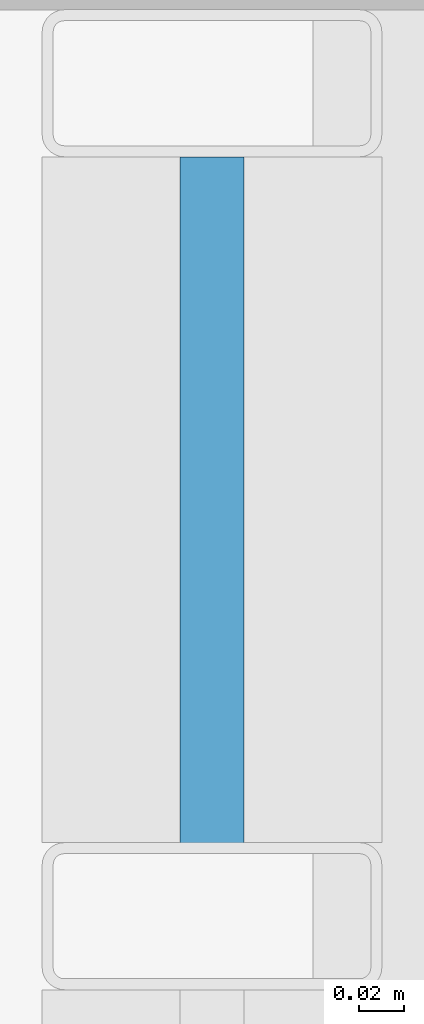
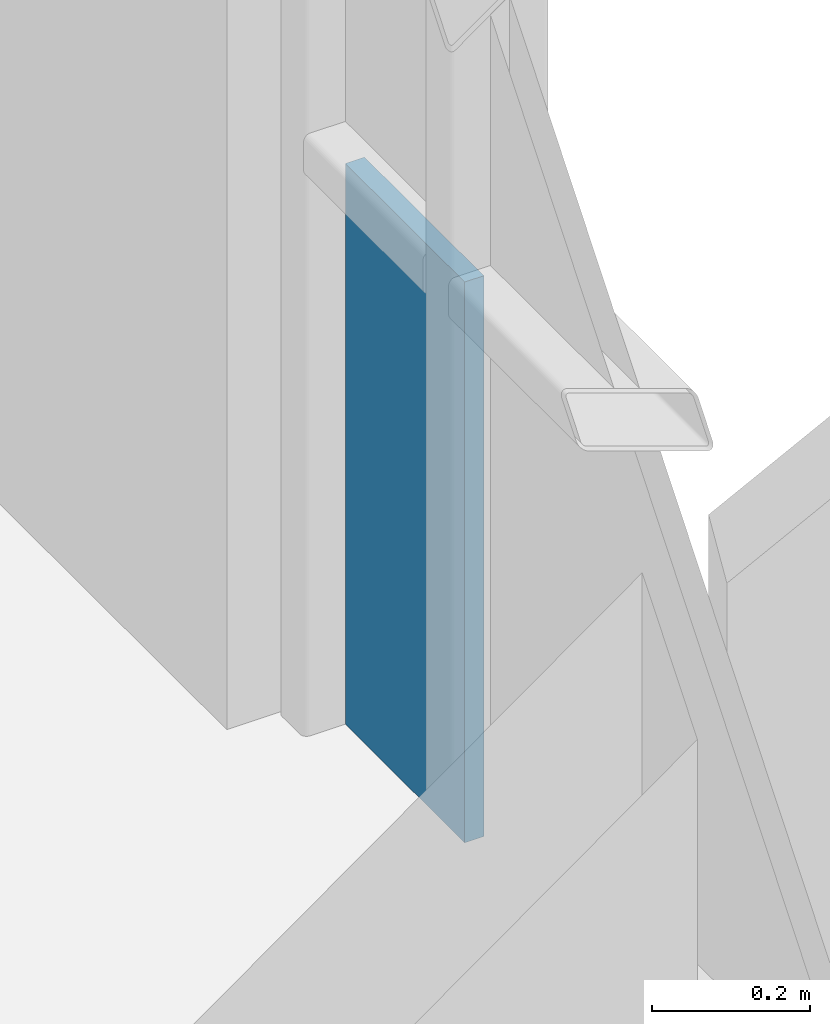
# One storey, part 26 of 38: 1 plate, 1 element without a shape of its own.
"""IFC4 building model written with IfcOpenShell, lengths in metres."""

from ifc_helpers import new_model, si_unit, direction, frame, origin, origin_2d, place, context, subcontext, project, spatial, rectangle, extrude, material, layer, layer_set, type_object, element, aggregate, save


model = new_model("IFC4")

# Units and contexts
model_context = context("Model", 3, precision=1e-05, world=origin(), true_north=direction((0.0, 1.0)))
body_context = subcontext(model_context, "Body", "Model", "MODEL_VIEW")
ifc_project = project(units=[si_unit("LENGTHUNIT", "METRE"), si_unit("AREAUNIT", "SQUARE_METRE"), si_unit("VOLUMEUNIT", "CUBIC_METRE"), si_unit("PLANEANGLEUNIT", "RADIAN"), si_unit("MASSUNIT", "GRAM", prefix="KILO")], contexts=[model_context])

# Site, building, storey
site_placement = place(None, origin())
site = spatial("IfcSite", under=ifc_project, at=site_placement, CompositionType="ELEMENT")
building_placement = place(site_placement, origin())
building = spatial("IfcBuilding", under=site, at=building_placement, Name="Brevholm Reach", CompositionType="ELEMENT")
storey_placement = place(building_placement, frame((0.0, 0.0, 65.199951171875)))
storey = spatial("IfcBuildingStorey", under=building, at=storey_placement, Name="L18", CompositionType="ELEMENT", Elevation=65.199951171875)

# Curtain wall, plate
ifc_material_1 = material(Name="Dark Anodised Aluminium 6063-T6 and Solar-Control Glass", Category="aluminium")
ifc_layer_1 = layer(ifc_material_1, 0.14990234375)
ifc_layer_set_1 = layer_set([ifc_layer_1], Name="Dark Anodised Aluminium 6063-T6 and Solar-Control Glass")
curtain_wall_type = type_object("IfcCurtainWallType", Name="CW-01", PredefinedType="NOTDEFINED", material=ifc_layer_set_1)
curtain_wall_placement = place(storey_placement, origin())
curtain_wall = element("IfcCurtainWall", 1, at=curtain_wall_placement, inside=storey, type_object=curtain_wall_type, Name="L18 Curtain Wall CW-01", PredefinedType="NOTDEFINED")
ifc_material_2 = material(Name="Dark Solar-Control Double-Glazed IGU Glass", Category="glass")
ifc_layer_2 = layer(ifc_material_2, 0.028076171875)
ifc_layer_set_2 = layer_set([ifc_layer_2], Name="Dark Solar-Control Double-Glazed IGU Glass")
plate_type = type_object("IfcPlateType", Name="CWP-GLZ-28", PredefinedType="CURTAIN_PANEL", material=ifc_layer_set_2)
plate_placement = place(storey_placement, frame((59.85009765625, 22.733642578125, 0.0), z_axis=(0.0, 0.0, 1.0), x_axis=(0.0, 1.0, 0.0)))
plate = element("IfcPlate", 2, at=plate_placement, type_object=plate_type, Name="CP-01 Glazing Panel 5.1", PredefinedType="CURTAIN_PANEL", context=body_context, shape_type="SweptSolid", body=[
    extrude(rectangle(XDim=0.302490234375, YDim=0.028076171875, at=origin_2d()), origin(), (0.0, 0.0, 1.0), 0.867431640625),
])
aggregate(curtain_wall, [plate])

save(model, "model.ifc")
